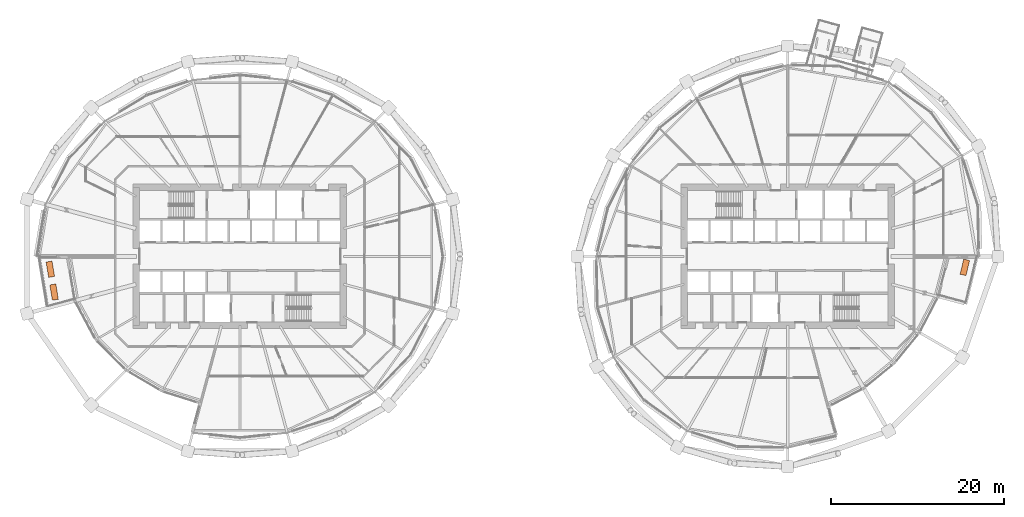
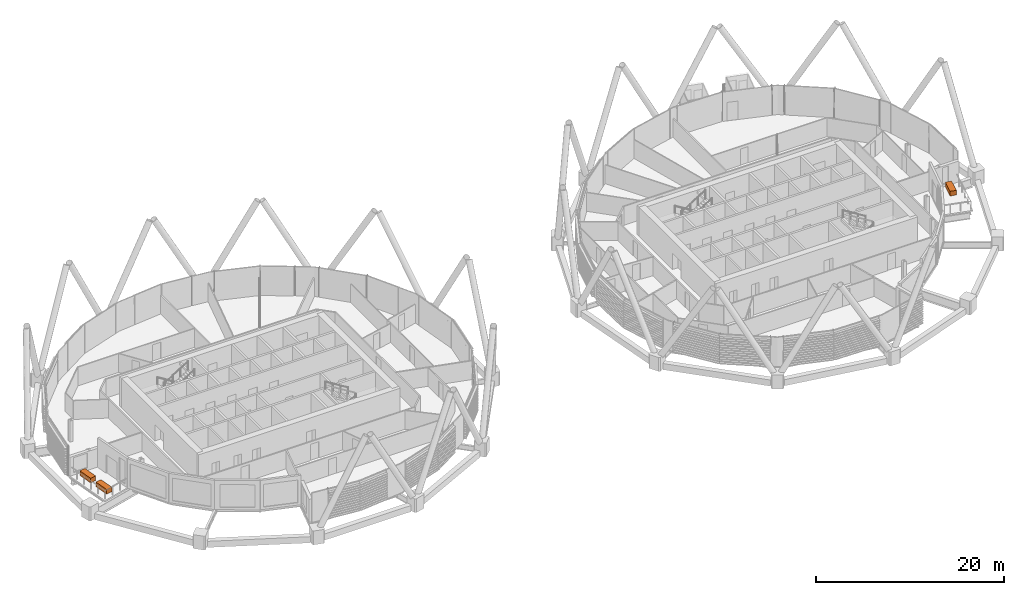
# One storey, part 38 of 38: 3 proxies.
"""IFC4 building model written with IfcOpenShell, lengths in metres."""

import ifcopenshell
import ifcopenshell.guid

model = None  # the IFC model being written
_history = None  # IfcOwnerHistory: only IFC2X3 demands one
_inside = {}  # id of a spatial element -> (the spatial element, [elements in it])
_under = {}  # id of a project, library or spatial element -> (it, [spatial elements below it])
_declared = {}  # id of a project -> (the project, [libraries it declares])
_typed = {}  # id of a type object -> (the type object, [elements of that type])
_made_of = {}  # id of a material, layer set ... -> (it, [elements and type objects made of it])


def new_model(schema):
    """Start an empty IFC model of exactly this schema.

    Asked for "IFC4X3", IfcOpenShell would pick the latest addendum, in which some entities
    have other attributes; the version numbers below select the first issue.
    IFC2X3 requires an IfcOwnerHistory on every rooted entity: one is made here for all.
    """
    global model, _history
    if schema == "IFC4X3":
        model = ifcopenshell.file(schema_version=(4, 3, 0, 0))
    else:
        model = ifcopenshell.file(schema=schema)
    _inside.clear()
    _under.clear()
    _declared.clear()
    _typed.clear()
    _made_of.clear()
    _history = None
    if model.schema == "IFC2X3":
        org = make("IfcOrganization", Name="unknown")
        user = make(
            "IfcPersonAndOrganization",
            ThePerson=make("IfcPerson", FamilyName="unknown"),
            TheOrganization=org,
        )
        app = make(
            "IfcApplication",
            ApplicationDeveloper=org,
            Version="unknown",
            ApplicationFullName="unknown",
            ApplicationIdentifier="unknown",
        )
        _history = make(
            "IfcOwnerHistory",
            OwningUser=user,
            OwningApplication=app,
            ChangeAction="ADDED",
            CreationDate=0,
        )
    return model


def make(cls, **values):
    """One entity of the class cls with the attributes given. An attribute that is None is left unset."""
    return model.create_entity(
        cls, **{name: value for name, value in values.items() if value is not None}
    )


def rooted(cls, **values):
    """An entity with a GlobalId (a new one), such as an element, a storey or a relation."""
    return make(cls, GlobalId=ifcopenshell.guid.new(), OwnerHistory=_history, **values)


def si_unit(unit_type, name, prefix=None):
    """IfcSIUnit, for example si_unit("LENGTHUNIT", "METRE", prefix="MILLI")."""
    return make("IfcSIUnit", UnitType=unit_type, Prefix=prefix, Name=name)


def assignment(units):
    """IfcUnitAssignment: the units of a project."""
    return None if units is None else make("IfcUnitAssignment", Units=units)


def point(xyz):
    """IfcCartesianPoint."""
    return None if xyz is None else make("IfcCartesianPoint", Coordinates=xyz)


def direction(xyz):
    """IfcDirection."""
    return None if xyz is None else make("IfcDirection", DirectionRatios=xyz)


def frame(location, z_axis=None, x_axis=None):
    """IfcAxis2Placement3D, a coordinate frame: its origin and axes. An axis left out is left unset."""
    return make(
        "IfcAxis2Placement3D",
        Location=point(location),
        Axis=direction(z_axis),
        RefDirection=direction(x_axis),
    )


def frame_2d(location, x_axis=None):
    """IfcAxis2Placement2D, a coordinate frame in the plane: its origin and x axis."""
    return make(
        "IfcAxis2Placement2D", Location=point(location), RefDirection=direction(x_axis)
    )


def origin():
    """The frame at (0, 0, 0) with its axes left unset."""
    return frame((0.0, 0.0, 0.0))


def origin_2d():
    """The frame at (0, 0) in the plane with its x axis left unset."""
    return frame_2d((0.0, 0.0))


def place(relative_to, where):
    """IfcLocalPlacement: puts the frame where relative to a parent placement (None: the world)."""
    return make(
        "IfcLocalPlacement", PlacementRelTo=relative_to, RelativePlacement=where
    )


def context(
    kind, dimensions, precision=None, world=None, true_north=None, identifier=None
):
    """IfcGeometricRepresentationContext, for example the 3D "Model" context."""
    return make(
        "IfcGeometricRepresentationContext",
        ContextIdentifier=identifier,
        ContextType=kind,
        CoordinateSpaceDimension=dimensions,
        Precision=precision,
        WorldCoordinateSystem=world,
        TrueNorth=true_north,
    )


def subcontext(parent, identifier, kind, view, scale=None):
    """IfcGeometricRepresentationSubContext, for example "Body" below "Model"."""
    return make(
        "IfcGeometricRepresentationSubContext",
        ContextIdentifier=identifier,
        ContextType=kind,
        ParentContext=parent,
        TargetScale=scale,
        TargetView=view,
    )


def project(units=None, contexts=None):
    """IfcProject with its units and contexts."""
    return rooted(
        "IfcProject",
        Name="project",
        RepresentationContexts=contexts,
        UnitsInContext=assignment(units),
    )


def spatial(cls, under=None, at=None, **own):
    """A site, building, storey or space (cls), placed at a placement, below another one or the project."""
    s = rooted(cls, ObjectPlacement=at, **own)
    if under is not None:
        _under.setdefault(under.id(), (under, []))[1].append(s)
    return s


def profile(cls, at=None, kind="AREA", **sizes):
    """A parametric profile (cls). Its sizes go by their IFC names, for example OverallWidth=200.0."""
    return make(cls, ProfileType=kind, Position=at, **sizes)


def rectangle(**sizes):
    """IfcRectangleProfileDef."""
    return profile("IfcRectangleProfileDef", **sizes)


def extrude(swept, where, along, depth):
    """IfcExtrudedAreaSolid: the profile swept, set in the frame where, extruded along a direction by depth."""
    return make(
        "IfcExtrudedAreaSolid",
        SweptArea=swept,
        Position=where,
        ExtrudedDirection=direction(along),
        Depth=depth,
    )


def shape(context_of_items, identifier, shape_type, items):
    """IfcShapeRepresentation: the items that make up one representation, for example the "Body"."""
    return make(
        "IfcShapeRepresentation",
        ContextOfItems=context_of_items,
        RepresentationIdentifier=identifier,
        RepresentationType=shape_type,
        Items=items,
    )


def material(Name=None, Category=None):
    """IfcMaterial."""
    return make("IfcMaterial", Name=Name, Category=Category)


def made_of(thing, what):
    """Note that an element or type object is made of a material, layer set ...; save() writes the relation."""
    if what is not None:
        _made_of.setdefault(what.id(), (what, []))[1].append(thing)
    return thing


def type_object(cls, material=None, **own):
    """A type object (cls), such as IfcWallType, which elements share."""
    return made_of(rooted(cls, **own), material)


def element(
    cls,
    number,
    at=None,
    inside=None,
    cuts=None,
    type_object=None,
    material=None,
    context=None,
    identifier="Body",
    shape_type=None,
    held_by="IfcProductDefinitionShape",
    body=None,
    shapes=None,
    **own,
):
    """One element of the class cls, such as IfcWall. Its Tag is "e" and its number.

    at: its placement. inside: the storey or other place that contains it. cuts: it is an
    opening in that element (IfcRelVoidsElement). A single representation is given by context,
    identifier, shape_type and body (its items); several are given by shapes. held_by: the class
    of the entity that holds the representations. save() writes the other relations.
    """
    e = rooted(cls, Tag="e%d" % number, ObjectPlacement=at, **own)
    if body is not None:
        shapes = [shape(context, identifier, shape_type, body)]
    if shapes is not None:
        e.Representation = make(held_by, Representations=shapes)
    if inside is not None:
        _inside.setdefault(inside.id(), (inside, []))[1].append(e)
    if cuts is not None:
        rooted(
            "IfcRelVoidsElement", RelatingBuildingElement=cuts, RelatedOpeningElement=e
        )
    if type_object is not None:
        _typed.setdefault(type_object.id(), (type_object, []))[1].append(e)
    return made_of(e, material)


def aggregate(whole, parts):
    """IfcRelAggregates: a whole, such as a stair, and the parts it consists of."""
    return rooted("IfcRelAggregates", RelatingObject=whole, RelatedObjects=parts)


def save(model, path):
    """Write the relations noted so far, then the file.

    IfcRelAggregates (storeys below a building ...), IfcRelContainedInSpatialStructure (elements
    in a storey), IfcRelDefinesByType, IfcRelAssociatesMaterial and IfcRelDeclares: one each for
    every whole, place, type object, material and project.
    """
    for whole, parts in _under.values():
        aggregate(whole, parts)
    for where, things in _inside.values():
        rooted(
            "IfcRelContainedInSpatialStructure",
            RelatedElements=things,
            RelatingStructure=where,
        )
    for kind, things in _typed.values():
        rooted("IfcRelDefinesByType", RelatedObjects=things, RelatingType=kind)
    for what, things in _made_of.values():
        rooted("IfcRelAssociatesMaterial", RelatedObjects=things, RelatingMaterial=what)
    for by, libraries in _declared.values():
        rooted("IfcRelDeclares", RelatingContext=by, RelatedDefinitions=libraries)
    model.write(path)


model = new_model("IFC4")

# Units and contexts
model_context = context("Model", 3, precision=1e-05, world=origin(), true_north=direction((0.0, 1.0)))
body_context = subcontext(model_context, "Body", "Model", "MODEL_VIEW")
ifc_project = project(units=[si_unit("LENGTHUNIT", "METRE"), si_unit("AREAUNIT", "SQUARE_METRE"), si_unit("VOLUMEUNIT", "CUBIC_METRE"), si_unit("PLANEANGLEUNIT", "RADIAN"), si_unit("MASSUNIT", "GRAM", prefix="KILO")], contexts=[model_context])

# Site, building, storey
site_placement = place(None, origin())
site = spatial("IfcSite", under=ifc_project, at=site_placement, CompositionType="ELEMENT")
building_placement = place(site_placement, origin())
building = spatial("IfcBuilding", under=site, at=building_placement, Name="Rimbun Link Towers", CompositionType="ELEMENT")
storey_placement = place(building_placement, frame((0.0, 0.0, 93.0)))
storey = spatial("IfcBuildingStorey", under=building, at=storey_placement, Name="L22", CompositionType="ELEMENT", Elevation=93.0)

# Proxies
ifc_material = material(Name="Concrete C30/37", Category="concrete")
building_element_proxy_type = type_object("IfcBuildingElementProxyType", Name="PLANTER precast box 1800X700X600", PredefinedType="USERDEFINED", material=ifc_material)
for number, where, z_axis, x_axis, name in (
    (1, (-53.733154296875, -1.4853515625, 0.0), (0.0, 0.0, 1.0), (0.162259642251, -0.986748097792, 0.0), "PLANTER"),
    (2, (-53.296875, -4.138427734375, 0.0), (0.0, 0.0, 1.0), (0.162259642251, -0.986748097792, 0.0), "PLANTER"),
    (3, (52.2900390625, -1.26953125, 0.0), (0.0, 0.0, 1.0), (0.232601207201, 0.972572197016, 0.0), "PLANTER"),
):
    element("IfcBuildingElementProxy", number, at=place(storey_placement, frame(where, z_axis=z_axis, x_axis=x_axis)), inside=storey, type_object=building_element_proxy_type, Name=name, ObjectType="PLANTER", PredefinedType="USERDEFINED", context=body_context, shape_type="SweptSolid", body=[
        extrude(rectangle(XDim=1.800048828125, YDim=0.699951171875, at=origin_2d()), origin(), (0.0, 0.0, 1.0), 0.60009765625),
    ])

save(model, "model.ifc")
